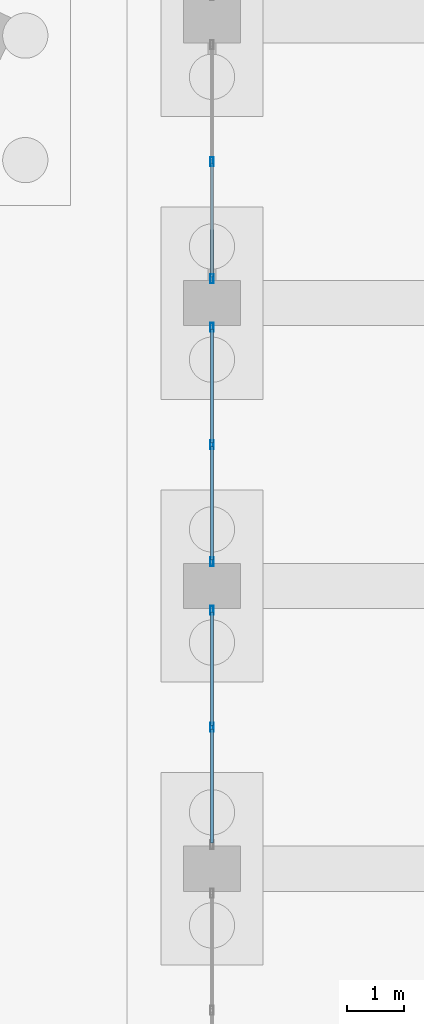
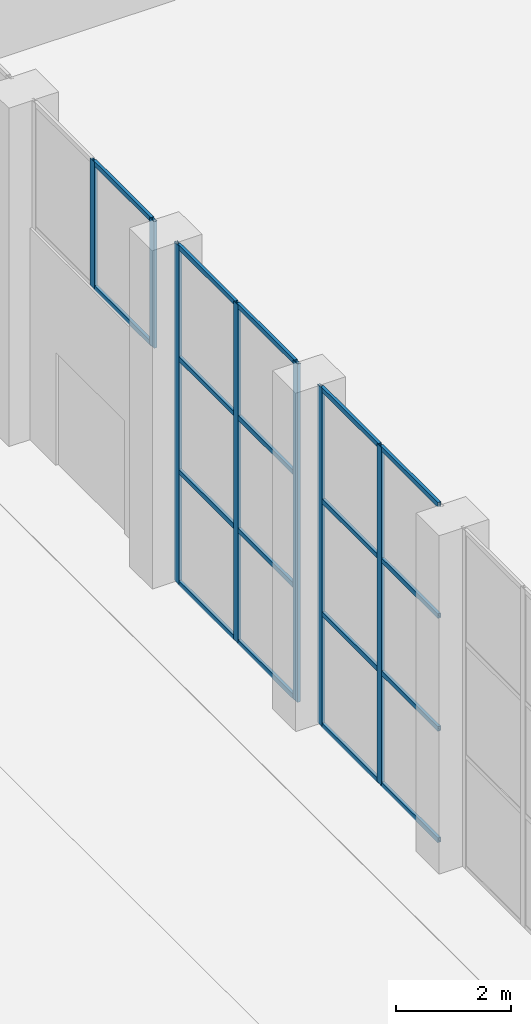
# One storey, part 115 of 239: 25 members, 3 elements without a shape of their own.
"""IFC4 building model written with IfcOpenShell, lengths in metres."""

from ifc_helpers import new_model, si_unit, direction, frame, origin, origin_2d, place, context, subcontext, project, spatial, hollow_rectangle, extrude, material, material_profile, profile_set, type_object, element, aggregate, save


model = new_model("IFC4")

# Units and contexts
model_context = context("Model", 3, precision=1e-05, world=origin(), true_north=direction((0.0, 1.0)))
body_context = subcontext(model_context, "Body", "Model", "MODEL_VIEW")
ifc_project = project(units=[si_unit("LENGTHUNIT", "METRE"), si_unit("AREAUNIT", "SQUARE_METRE"), si_unit("VOLUMEUNIT", "CUBIC_METRE"), si_unit("PLANEANGLEUNIT", "RADIAN"), si_unit("MASSUNIT", "GRAM", prefix="KILO")], contexts=[model_context])

# Site, building, storey
site_placement = place(None, origin())
site = spatial("IfcSite", under=ifc_project, at=site_placement, CompositionType="ELEMENT")
building_placement = place(site_placement, origin())
building = spatial("IfcBuilding", under=site, at=building_placement, Name="Okhra Congress Centre", CompositionType="ELEMENT")
storey_placement = place(building_placement, origin())
storey = spatial("IfcBuildingStorey", under=building, at=storey_placement, Name="L00", CompositionType="ELEMENT", Elevation=0.0)

# Curtain wall, members
ifc_material_1 = material(Name="Aluminium curtain wall, triple glazing", Category="aluminium")
curtain_wall_type = type_object("IfcCurtainWallType", Name="Curtain wall 2100 module", PredefinedType="NOTDEFINED", material=ifc_material_1)
curtain_wall_1_placement = place(storey_placement, origin())
curtain_wall_1 = element("IfcCurtainWall", 1, at=curtain_wall_1_placement, inside=storey, type_object=curtain_wall_type, Name="West bay 8 glazing", PredefinedType="NOTDEFINED")
ifc_material_2 = material(Name="Aluminium alloy EN AW-6063 T66", Category="aluminium")
ifc_material_profile_1 = material_profile(ifc_material_2, hollow_rectangle(XDim=0.06005859375, YDim=0.159912109375, WallThickness=0.00390625, at=origin_2d()), Name="RHS 60x160x4")
ifc_profile_set_1 = profile_set([ifc_material_profile_1], Name="Aluminium alloy EN AW-6063 T66")
member_type_1 = type_object("IfcMemberType", Name="Curtain wall mullion 60x160", PredefinedType="MULLION", material=ifc_profile_set_1)
member_1_placement = place(storey_placement, frame((155.5, 113.5, 0.0), z_axis=(0.0, 0.0, 1.0), x_axis=(-1.0, 0.0, 0.0)))
member_1 = element("IfcMember", 2, at=member_1_placement, type_object=member_type_1, Name="CW4 mullion 2", PredefinedType="MULLION", context=body_context, shape_type="SweptSolid", body=[
    extrude(hollow_rectangle(XDim=0.06005859375, YDim=0.159912109375, WallThickness=0.00390625, at=origin_2d()), origin(), (0.0, 0.0, 1.0), 7.199951171875),
])
member_2_placement = place(storey_placement, frame((155.5, 115.570068359375, 0.0), z_axis=(0.0, 0.0, 1.0), x_axis=(-1.0, 0.0, 0.0)))
member_2 = element("IfcMember", 3, at=member_2_placement, type_object=member_type_1, Name="CW4 mullion 3", PredefinedType="MULLION", context=body_context, shape_type="SweptSolid", body=[
    extrude(hollow_rectangle(XDim=0.06005859375, YDim=0.159912109375, WallThickness=0.00390625, at=origin_2d()), origin(), (0.0, 0.0, 1.0), 7.199951171875),
])

curtain_wall_2_placement = place(storey_placement, origin())
curtain_wall_2 = element("IfcCurtainWall", 4, at=curtain_wall_2_placement, inside=storey, type_object=curtain_wall_type, Name="West bay 9 glazing", PredefinedType="NOTDEFINED")
member_3_placement = place(storey_placement, frame((155.5, 116.429931640625, 0.0), z_axis=(0.0, 0.0, 1.0), x_axis=(-1.0, 0.0, 0.0)))
member_3 = element("IfcMember", 5, at=member_3_placement, type_object=member_type_1, Name="CW4 mullion 1", PredefinedType="MULLION", context=body_context, shape_type="SweptSolid", body=[
    extrude(hollow_rectangle(XDim=0.06005859375, YDim=0.159912109375, WallThickness=0.00390625, at=origin_2d()), origin(), (0.0, 0.0, 1.0), 7.199951171875),
])
member_4_placement = place(storey_placement, frame((155.5, 118.5, 0.0), z_axis=(0.0, 0.0, 1.0), x_axis=(-1.0, 0.0, 0.0)))
member_4 = element("IfcMember", 6, at=member_4_placement, type_object=member_type_1, Name="CW4 mullion 2", PredefinedType="MULLION", context=body_context, shape_type="SweptSolid", body=[
    extrude(hollow_rectangle(XDim=0.06005859375, YDim=0.159912109375, WallThickness=0.00390625, at=origin_2d()), origin(), (0.0, 0.0, 1.0), 7.199951171875),
])
member_5_placement = place(storey_placement, frame((155.5, 120.570068359375, 0.0), z_axis=(0.0, 0.0, 1.0), x_axis=(-1.0, 0.0, 0.0)))
member_5 = element("IfcMember", 7, at=member_5_placement, type_object=member_type_1, Name="CW4 mullion 3", PredefinedType="MULLION", context=body_context, shape_type="SweptSolid", body=[
    extrude(hollow_rectangle(XDim=0.06005859375, YDim=0.159912109375, WallThickness=0.00390625, at=origin_2d()), origin(), (0.0, 0.0, 1.0), 7.199951171875),
])

curtain_wall_3_placement = place(storey_placement, origin())
curtain_wall_3 = element("IfcCurtainWall", 8, at=curtain_wall_3_placement, inside=storey, type_object=curtain_wall_type, Name="West bay 10 glazing above the doors", PredefinedType="NOTDEFINED")
member_6_placement = place(storey_placement, frame((155.5, 121.429931640625, 4.5), z_axis=(0.0, 0.0, 1.0), x_axis=(-1.0, 0.0, 0.0)))
member_6 = element("IfcMember", 9, at=member_6_placement, type_object=member_type_1, Name="CW4 mullion 1", PredefinedType="MULLION", context=body_context, shape_type="SweptSolid", body=[
    extrude(hollow_rectangle(XDim=0.06005859375, YDim=0.159912109375, WallThickness=0.00390625, at=origin_2d()), origin(), (0.0, 0.0, 1.0), 2.699951171875),
])
member_7_placement = place(storey_placement, frame((155.5, 123.5, 4.5), z_axis=(0.0, 0.0, 1.0), x_axis=(-1.0, 0.0, 0.0)))
member_7 = element("IfcMember", 10, at=member_7_placement, type_object=member_type_1, Name="CW4 mullion 2", PredefinedType="MULLION", context=body_context, shape_type="SweptSolid", body=[
    extrude(hollow_rectangle(XDim=0.06005859375, YDim=0.159912109375, WallThickness=0.00390625, at=origin_2d()), origin(), (0.0, 0.0, 1.0), 2.699951171875),
])

# Member
ifc_material_profile_2 = material_profile(ifc_material_2, hollow_rectangle(XDim=0.06005859375, YDim=0.10009765625, WallThickness=0.00390625, at=origin_2d()), Name="RHS 60x100x4")
ifc_profile_set_2 = profile_set([ifc_material_profile_2], Name="Aluminium alloy EN AW-6063 T66")
member_type_2 = type_object("IfcMemberType", Name="Curtain wall transom 60x100", PredefinedType="USERDEFINED", material=ifc_profile_set_2)
member_8_placement = place(storey_placement, frame((155.5, 111.4599609375, 0.030029296875), z_axis=(0.0, 1.0, 0.0), x_axis=(-1.0, 0.0, 0.0)))
member_8 = element("IfcMember", 11, at=member_8_placement, type_object=member_type_2, Name="CW4 transom 1.1", ObjectType="TRANSOM", PredefinedType="USERDEFINED", context=body_context, shape_type="SweptSolid", body=[
    extrude(hollow_rectangle(XDim=0.06005859375, YDim=0.10009765625, WallThickness=0.00390625, at=origin_2d()), origin(), (0.0, 0.0, 1.0), 2.010009765625),
])

member_9_placement = place(storey_placement, frame((155.5, 111.4599609375, 2.39990234375), z_axis=(0.0, 1.0, 0.0), x_axis=(-1.0, 0.0, 0.0)))
member_9 = element("IfcMember", 12, at=member_9_placement, type_object=member_type_2, Name="CW4 transom 1.2", ObjectType="TRANSOM", PredefinedType="USERDEFINED", context=body_context, shape_type="SweptSolid", body=[
    extrude(hollow_rectangle(XDim=0.06005859375, YDim=0.10009765625, WallThickness=0.00390625, at=origin_2d()), origin(), (0.0, 0.0, 1.0), 2.010009765625),
])

member_10_placement = place(storey_placement, frame((155.5, 111.4599609375, 4.800048828125), z_axis=(0.0, 1.0, 0.0), x_axis=(-1.0, 0.0, 0.0)))
member_10 = element("IfcMember", 13, at=member_10_placement, type_object=member_type_2, Name="CW4 transom 1.3", ObjectType="TRANSOM", PredefinedType="USERDEFINED", context=body_context, shape_type="SweptSolid", body=[
    extrude(hollow_rectangle(XDim=0.06005859375, YDim=0.10009765625, WallThickness=0.00390625, at=origin_2d()), origin(), (0.0, 0.0, 1.0), 2.010009765625),
])

member_11_placement = place(storey_placement, frame((155.5, 111.4599609375, 7.169921875), z_axis=(0.0, 1.0, 0.0), x_axis=(-1.0, 0.0, 0.0)))
member_11 = element("IfcMember", 14, at=member_11_placement, type_object=member_type_2, Name="CW4 transom 1.4", ObjectType="TRANSOM", PredefinedType="USERDEFINED", context=body_context, shape_type="SweptSolid", body=[
    extrude(hollow_rectangle(XDim=0.06005859375, YDim=0.10009765625, WallThickness=0.00390625, at=origin_2d()), origin(), (0.0, 0.0, 1.0), 2.010009765625),
])

member_12_placement = place(storey_placement, frame((155.5, 113.530029296875, 0.030029296875), z_axis=(0.0, 1.0, 0.0), x_axis=(-1.0, 0.0, 0.0)))
member_12 = element("IfcMember", 15, at=member_12_placement, type_object=member_type_2, Name="CW4 transom 2.1", ObjectType="TRANSOM", PredefinedType="USERDEFINED", context=body_context, shape_type="SweptSolid", body=[
    extrude(hollow_rectangle(XDim=0.06005859375, YDim=0.10009765625, WallThickness=0.00390625, at=origin_2d()), origin(), (0.0, 0.0, 1.0), 2.010009765625),
])

member_13_placement = place(storey_placement, frame((155.5, 113.530029296875, 2.39990234375), z_axis=(0.0, 1.0, 0.0), x_axis=(-1.0, 0.0, 0.0)))
member_13 = element("IfcMember", 16, at=member_13_placement, type_object=member_type_2, Name="CW4 transom 2.2", ObjectType="TRANSOM", PredefinedType="USERDEFINED", context=body_context, shape_type="SweptSolid", body=[
    extrude(hollow_rectangle(XDim=0.06005859375, YDim=0.10009765625, WallThickness=0.00390625, at=origin_2d()), origin(), (0.0, 0.0, 1.0), 2.010009765625),
])

member_14_placement = place(storey_placement, frame((155.5, 113.530029296875, 4.800048828125), z_axis=(0.0, 1.0, 0.0), x_axis=(-1.0, 0.0, 0.0)))
member_14 = element("IfcMember", 17, at=member_14_placement, type_object=member_type_2, Name="CW4 transom 2.3", ObjectType="TRANSOM", PredefinedType="USERDEFINED", context=body_context, shape_type="SweptSolid", body=[
    extrude(hollow_rectangle(XDim=0.06005859375, YDim=0.10009765625, WallThickness=0.00390625, at=origin_2d()), origin(), (0.0, 0.0, 1.0), 2.010009765625),
])

member_15_placement = place(storey_placement, frame((155.5, 113.530029296875, 7.169921875), z_axis=(0.0, 1.0, 0.0), x_axis=(-1.0, 0.0, 0.0)))
member_15 = element("IfcMember", 18, at=member_15_placement, type_object=member_type_2, Name="CW4 transom 2.4", ObjectType="TRANSOM", PredefinedType="USERDEFINED", context=body_context, shape_type="SweptSolid", body=[
    extrude(hollow_rectangle(XDim=0.06005859375, YDim=0.10009765625, WallThickness=0.00390625, at=origin_2d()), origin(), (0.0, 0.0, 1.0), 2.010009765625),
])

aggregate(curtain_wall_1, [member_1, member_2, member_8, member_9, member_10, member_11, member_12, member_13, member_14, member_15])

member_16_placement = place(storey_placement, frame((155.5, 116.4599609375, 0.030029296875), z_axis=(0.0, 1.0, 0.0), x_axis=(-1.0, 0.0, 0.0)))
member_16 = element("IfcMember", 19, at=member_16_placement, type_object=member_type_2, Name="CW4 transom 1.1", ObjectType="TRANSOM", PredefinedType="USERDEFINED", context=body_context, shape_type="SweptSolid", body=[
    extrude(hollow_rectangle(XDim=0.06005859375, YDim=0.10009765625, WallThickness=0.00390625, at=origin_2d()), origin(), (0.0, 0.0, 1.0), 2.010009765625),
])

member_17_placement = place(storey_placement, frame((155.5, 116.4599609375, 2.39990234375), z_axis=(0.0, 1.0, 0.0), x_axis=(-1.0, 0.0, 0.0)))
member_17 = element("IfcMember", 20, at=member_17_placement, type_object=member_type_2, Name="CW4 transom 1.2", ObjectType="TRANSOM", PredefinedType="USERDEFINED", context=body_context, shape_type="SweptSolid", body=[
    extrude(hollow_rectangle(XDim=0.06005859375, YDim=0.10009765625, WallThickness=0.00390625, at=origin_2d()), origin(), (0.0, 0.0, 1.0), 2.010009765625),
])

member_18_placement = place(storey_placement, frame((155.5, 116.4599609375, 4.800048828125), z_axis=(0.0, 1.0, 0.0), x_axis=(-1.0, 0.0, 0.0)))
member_18 = element("IfcMember", 21, at=member_18_placement, type_object=member_type_2, Name="CW4 transom 1.3", ObjectType="TRANSOM", PredefinedType="USERDEFINED", context=body_context, shape_type="SweptSolid", body=[
    extrude(hollow_rectangle(XDim=0.06005859375, YDim=0.10009765625, WallThickness=0.00390625, at=origin_2d()), origin(), (0.0, 0.0, 1.0), 2.010009765625),
])

member_19_placement = place(storey_placement, frame((155.5, 116.4599609375, 7.169921875), z_axis=(0.0, 1.0, 0.0), x_axis=(-1.0, 0.0, 0.0)))
member_19 = element("IfcMember", 22, at=member_19_placement, type_object=member_type_2, Name="CW4 transom 1.4", ObjectType="TRANSOM", PredefinedType="USERDEFINED", context=body_context, shape_type="SweptSolid", body=[
    extrude(hollow_rectangle(XDim=0.06005859375, YDim=0.10009765625, WallThickness=0.00390625, at=origin_2d()), origin(), (0.0, 0.0, 1.0), 2.010009765625),
])

member_20_placement = place(storey_placement, frame((155.5, 118.530029296875, 0.030029296875), z_axis=(0.0, 1.0, 0.0), x_axis=(-1.0, 0.0, 0.0)))
member_20 = element("IfcMember", 23, at=member_20_placement, type_object=member_type_2, Name="CW4 transom 2.1", ObjectType="TRANSOM", PredefinedType="USERDEFINED", context=body_context, shape_type="SweptSolid", body=[
    extrude(hollow_rectangle(XDim=0.06005859375, YDim=0.10009765625, WallThickness=0.00390625, at=origin_2d()), origin(), (0.0, 0.0, 1.0), 2.010009765625),
])

member_21_placement = place(storey_placement, frame((155.5, 118.530029296875, 2.39990234375), z_axis=(0.0, 1.0, 0.0), x_axis=(-1.0, 0.0, 0.0)))
member_21 = element("IfcMember", 24, at=member_21_placement, type_object=member_type_2, Name="CW4 transom 2.2", ObjectType="TRANSOM", PredefinedType="USERDEFINED", context=body_context, shape_type="SweptSolid", body=[
    extrude(hollow_rectangle(XDim=0.06005859375, YDim=0.10009765625, WallThickness=0.00390625, at=origin_2d()), origin(), (0.0, 0.0, 1.0), 2.010009765625),
])

member_22_placement = place(storey_placement, frame((155.5, 118.530029296875, 4.800048828125), z_axis=(0.0, 1.0, 0.0), x_axis=(-1.0, 0.0, 0.0)))
member_22 = element("IfcMember", 25, at=member_22_placement, type_object=member_type_2, Name="CW4 transom 2.3", ObjectType="TRANSOM", PredefinedType="USERDEFINED", context=body_context, shape_type="SweptSolid", body=[
    extrude(hollow_rectangle(XDim=0.06005859375, YDim=0.10009765625, WallThickness=0.00390625, at=origin_2d()), origin(), (0.0, 0.0, 1.0), 2.010009765625),
])

member_23_placement = place(storey_placement, frame((155.5, 118.530029296875, 7.169921875), z_axis=(0.0, 1.0, 0.0), x_axis=(-1.0, 0.0, 0.0)))
member_23 = element("IfcMember", 26, at=member_23_placement, type_object=member_type_2, Name="CW4 transom 2.4", ObjectType="TRANSOM", PredefinedType="USERDEFINED", context=body_context, shape_type="SweptSolid", body=[
    extrude(hollow_rectangle(XDim=0.06005859375, YDim=0.10009765625, WallThickness=0.00390625, at=origin_2d()), origin(), (0.0, 0.0, 1.0), 2.010009765625),
])

aggregate(curtain_wall_2, [member_3, member_4, member_5, member_16, member_17, member_18, member_19, member_20, member_21, member_22, member_23])

member_24_placement = place(storey_placement, frame((155.5, 121.4599609375, 4.530029296875), z_axis=(0.0, 1.0, 0.0), x_axis=(-1.0, 0.0, 0.0)))
member_24 = element("IfcMember", 27, at=member_24_placement, type_object=member_type_2, Name="CW4 transom 1.1", ObjectType="TRANSOM", PredefinedType="USERDEFINED", context=body_context, shape_type="SweptSolid", body=[
    extrude(hollow_rectangle(XDim=0.06005859375, YDim=0.10009765625, WallThickness=0.00390625, at=origin_2d()), origin(), (0.0, 0.0, 1.0), 2.010009765625),
])

member_25_placement = place(storey_placement, frame((155.5, 121.4599609375, 7.169921875), z_axis=(0.0, 1.0, 0.0), x_axis=(-1.0, 0.0, 0.0)))
member_25 = element("IfcMember", 28, at=member_25_placement, type_object=member_type_2, Name="CW4 transom 1.2", ObjectType="TRANSOM", PredefinedType="USERDEFINED", context=body_context, shape_type="SweptSolid", body=[
    extrude(hollow_rectangle(XDim=0.06005859375, YDim=0.10009765625, WallThickness=0.00390625, at=origin_2d()), origin(), (0.0, 0.0, 1.0), 2.010009765625),
])

aggregate(curtain_wall_3, [member_6, member_7, member_24, member_25])

save(model, "model.ifc")
